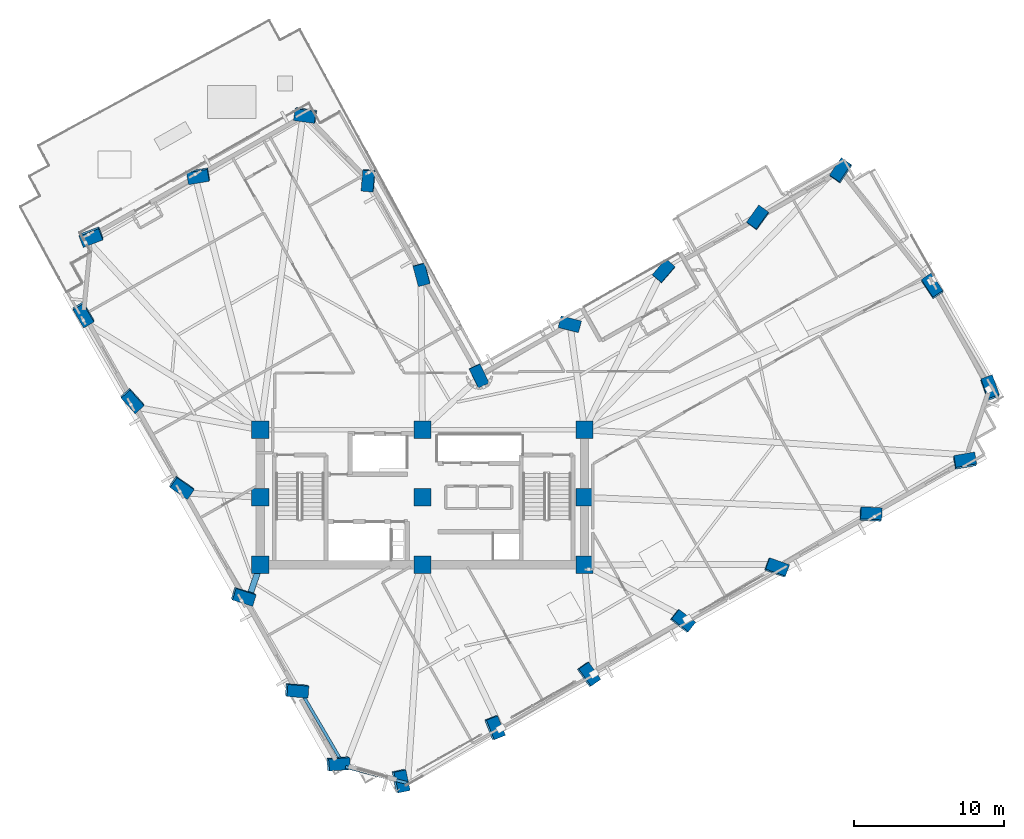
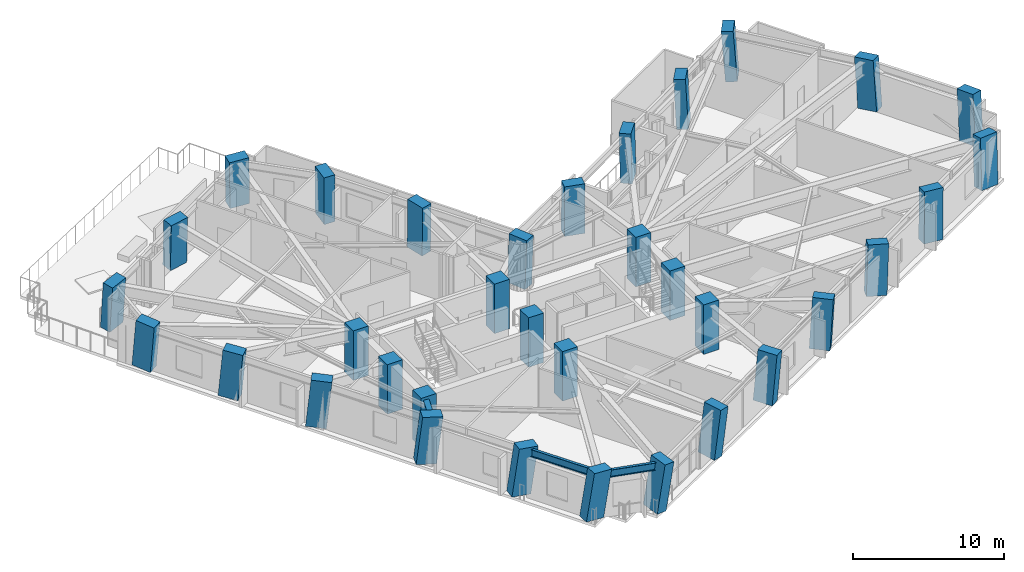
# One storey, part 1 of 18: 34 columns, 3 beams.
"""IFC4 building model written with IfcOpenShell, lengths in metres."""

from ifc_helpers import new_model, si_unit, direction, frame, origin, origin_2d, place, context, subcontext, project, spatial, rectangle, i_section, extrude, material, material_profile, profile_set, type_object, element, save


model = new_model("IFC4")

# Units and contexts
model_context = context("Model", 3, precision=1e-05, world=origin(), true_north=direction((0.0, 1.0)))
body_context = subcontext(model_context, "Body", "Model", "MODEL_VIEW")
ifc_project = project(units=[si_unit("LENGTHUNIT", "METRE"), si_unit("AREAUNIT", "SQUARE_METRE"), si_unit("VOLUMEUNIT", "CUBIC_METRE"), si_unit("PLANEANGLEUNIT", "RADIAN"), si_unit("MASSUNIT", "GRAM", prefix="KILO")], contexts=[model_context])

# Site, building, storey
site_placement = place(None, origin())
site = spatial("IfcSite", under=ifc_project, at=site_placement, CompositionType="ELEMENT")
building_placement = place(site_placement, origin())
building = spatial("IfcBuilding", under=site, at=building_placement, Name="Gaonmaruhae Medical Tower", CompositionType="ELEMENT")
storey_placement = place(building_placement, frame((0.0, 0.0, 149.800048828125)))
storey = spatial("IfcBuildingStorey", under=building, at=storey_placement, Name="L35", CompositionType="ELEMENT", Elevation=149.800048828125)

# Columns
ifc_material_1 = material(Name="Concrete C50/60", Category="concrete")
ifc_material_profile_1 = material_profile(ifc_material_1, rectangle(XDim=1.14990234375, YDim=1.14990234375, at=origin_2d()), Name="RC-1150x1150")
ifc_profile_set_1 = profile_set([ifc_material_profile_1], Name="Concrete C50/60")
column_type_1 = type_object("IfcColumnType", Name="CC-04 Zone 3 Core Column (RC-1150x1150)", PredefinedType="COLUMN", material=ifc_profile_set_1)
for number, where, z_axis, x_axis, name in (
    (1, (14.0, 7.800048828125, 0.0), (0.0, 0.0, 1.0), (1.0, 0.0, 0.0), "L35 Plumb Core Column CC11"),
    (2, (14.0, 12.300048828125, 0.0), (0.0, 0.0, 1.0), (1.0, 0.0, 0.0), "L35 Plumb Core Column CC12"),
    (3, (14.0, 16.800048828125, 0.0), (0.0, 0.0, 1.0), (1.0, 0.0, 0.0), "L35 Plumb Core Column CC13"),
    (4, (24.800048828125, 7.800048828125, 0.0), (0.0, 0.0, 1.0), (1.0, 0.0, 0.0), "L35 Plumb Core Column CC21"),
    (5, (24.800048828125, 12.300048828125, 0.0), (0.0, 0.0, 1.0), (1.0, 0.0, 0.0), "L35 Plumb Core Column CC22"),
    (6, (24.800048828125, 16.800048828125, 0.0), (0.0, 0.0, 1.0), (1.0, 0.0, 0.0), "L35 Plumb Core Column CC23"),
    (7, (35.60009765625, 7.800048828125, 0.0), (0.0, 0.0, 1.0), (1.0, 0.0, 0.0), "L35 Plumb Core Column CC31"),
    (8, (35.60009765625, 12.300048828125, 0.0), (0.0, 0.0, 1.0), (1.0, 0.0, 0.0), "L35 Plumb Core Column CC32"),
    (9, (35.60009765625, 16.800048828125, 0.0), (0.0, 0.0, 1.0), (1.0, 0.0, 0.0), "L35 Plumb Core Column CC33"),
):
    element("IfcColumn", number, at=place(storey_placement, frame(where, z_axis=z_axis, x_axis=x_axis)), inside=storey, type_object=column_type_1, Name=name, PredefinedType="COLUMN", context=body_context, shape_type="SweptSolid", body=[
        extrude(rectangle(XDim=1.14990234375, YDim=1.14990234375, at=origin_2d()), origin(), (0.0, 0.0, 1.0), 4.0),
    ])
ifc_material_2 = material(Name="Concrete C60/75", Category="concrete")
ifc_material_profile_2 = material_profile(ifc_material_2, rectangle(XDim=1.39990234375, YDim=0.800048828125, at=origin_2d()), Name="RC-1400x800")
ifc_profile_set_2 = profile_set([ifc_material_profile_2], Name="Concrete C60/75")
column_type_2 = type_object("IfcColumnType", Name="TC-02 Mid Raking Tube Pier Column (RC-1400x800)", PredefinedType="COLUMN", material=ifc_profile_set_2)
column_1_placement = place(storey_placement, frame((23.304931640625, -6.57568359375, 0.096435546875), z_axis=(0.129200063752, -0.04122746756, 0.990761141469), x_axis=(-0.199352364357, 0.977656682153, 0.066678682245)))
element("IfcColumn", 10, at=column_1_placement, inside=storey, type_object=column_type_2, Name="L35 Perimeter Tube Column S01", PredefinedType="COLUMN", context=body_context, shape_type="SweptSolid", body=[
    extrude(rectangle(XDim=1.39990234375, YDim=0.800048828125, at=origin_2d()), origin(), (0.0, 0.0, 1.0), 3.93798828125),
])
column_2_placement = place(storey_placement, frame((29.571533203125, -3.032958984375, 0.08251953125), z_axis=(0.114760480607, -0.015668862166, 0.993269610352), x_axis=(-0.366065487178, 0.92884503018, 0.056947071978)))
element("IfcColumn", 11, at=column_2_placement, inside=storey, type_object=column_type_2, Name="L35 Perimeter Tube Column S02", PredefinedType="COLUMN", context=body_context, shape_type="SweptSolid", body=[
    extrude(rectangle(XDim=1.39990234375, YDim=0.800048828125, at=origin_2d()), origin(), (0.0, 0.0, 1.0), 3.942138671875),
])
column_3_placement = place(storey_placement, frame((35.8388671875, 0.509033203125, 0.072021484375), z_axis=(0.100105085571, 0.010084752131, 0.994925760857), x_axis=(-0.573988040524, 0.817368171607, 0.049467174777)))
element("IfcColumn", 12, at=column_3_placement, inside=storey, type_object=column_type_2, Name="L35 Perimeter Tube Column S03", PredefinedType="COLUMN", context=body_context, shape_type="SweptSolid", body=[
    extrude(rectangle(XDim=1.39990234375, YDim=0.800048828125, at=origin_2d()), origin(), (0.0, 0.0, 1.0), 3.946044921875),
])
column_4_placement = place(storey_placement, frame((42.10693359375, 4.05078125, 0.066650390625), z_axis=(0.08539199057, 0.035801565923, 0.995704000104), x_axis=(-0.78816883904, 0.613773060451, 0.045524844111)))
element("IfcColumn", 13, at=column_4_placement, inside=storey, type_object=column_type_2, Name="L35 Perimeter Tube Column S04", PredefinedType="COLUMN", context=body_context, shape_type="SweptSolid", body=[
    extrude(rectangle(XDim=1.39990234375, YDim=0.800048828125, at=origin_2d()), origin(), (0.0, 0.0, 1.0), 3.9482421875),
])
column_5_placement = place(storey_placement, frame((48.375732421875, 7.592529296875, 0.0673828125), z_axis=(0.07055831731, 0.061529820967, 0.995608158359), x_axis=(-0.941245694793, 0.334571211542, 0.046028756663)))
element("IfcColumn", 14, at=column_5_placement, inside=storey, type_object=column_type_2, Name="L35 Perimeter Tube Column S05", PredefinedType="COLUMN", context=body_context, shape_type="SweptSolid", body=[
    extrude(rectangle(XDim=1.39990234375, YDim=0.800048828125, at=origin_2d()), origin(), (0.0, 0.0, 1.0), 3.947998046875),
])
column_6_placement = place(storey_placement, frame((54.644775390625, 11.134765625, 0.073974609375), z_axis=(0.055632037053, 0.087253806723, 0.994631514515), x_axis=(-0.997144782381, 0.055801129661, 0.050877469454)))
element("IfcColumn", 15, at=column_6_placement, inside=storey, type_object=column_type_2, Name="L35 Perimeter Tube Column S06", PredefinedType="COLUMN", context=body_context, shape_type="SweptSolid", body=[
    extrude(rectangle(XDim=1.39990234375, YDim=0.800048828125, at=origin_2d()), origin(), (0.0, 0.0, 1.0), 3.9453125),
])
column_7_placement = place(storey_placement, frame((60.913818359375, 14.677978515625, 0.08544921875), z_axis=(0.040762141013, 0.112746347484, 0.992787343286), x_axis=(-0.984868435796, -0.162971348998, 0.058944919876)))
element("IfcColumn", 16, at=column_7_placement, inside=storey, type_object=column_type_2, Name="L35 Perimeter Tube Column S07", PredefinedType="COLUMN", context=body_context, shape_type="SweptSolid", body=[
    extrude(rectangle(XDim=1.39990234375, YDim=0.800048828125, at=origin_2d()), origin(), (0.0, 0.0, 1.0), 3.94091796875),
])
column_8_placement = place(storey_placement, frame((62.59326171875, 19.533935546875, 0.10009765625), z_axis=(0.0207028818, 0.119492308766, 0.992619251693), x_axis=(0.336888766063, -0.935603610198, 0.1056022911)))
element("IfcColumn", 17, at=column_8_placement, inside=storey, type_object=column_type_2, Name="L35 Perimeter Tube Column E01", PredefinedType="COLUMN", context=body_context, shape_type="SweptSolid", body=[
    extrude(rectangle(XDim=1.39990234375, YDim=0.800048828125, at=origin_2d()), origin(), (0.0, 0.0, 1.0), 3.927001953125),
])
column_9_placement = place(storey_placement, frame((58.755615234375, 26.322998046875, 0.086181640625), z_axis=(-0.007138333207, 0.103661012665, 0.994587069417), x_axis=(0.550000990566, -0.830248298893, 0.090480232982)))
element("IfcColumn", 18, at=column_9_placement, inside=storey, type_object=column_type_2, Name="L35 Perimeter Tube Column E02", PredefinedType="COLUMN", context=body_context, shape_type="SweptSolid", body=[
    extrude(rectangle(XDim=1.39990234375, YDim=0.800048828125, at=origin_2d()), origin(), (0.0, 0.0, 1.0), 3.93310546875),
])
column_10_placement = place(storey_placement, frame((52.678466796875, 34.028076171875, 0.06298828125), z_axis=(-0.038751282156, 0.078491432755, 0.996161348937), x_axis=(-0.563992536618, -0.8246575779, 0.043038330033)))
element("IfcColumn", 19, at=column_10_placement, inside=storey, type_object=column_type_2, Name="L35 Perimeter Tube Column E03", PredefinedType="COLUMN", context=body_context, shape_type="SweptSolid", body=[
    extrude(rectangle(XDim=1.39990234375, YDim=0.800048828125, at=origin_2d()), origin(), (0.0, 0.0, 1.0), 3.9501953125),
])
column_11_placement = place(storey_placement, frame((47.150146484375, 30.903564453125, 0.044921875), z_axis=(-0.025704742237, 0.055847713349, 0.99810836042), x_axis=(-0.585842497961, -0.809861029984, 0.030227135099)))
element("IfcColumn", 20, at=column_11_placement, inside=storey, type_object=column_type_2, Name="L35 Perimeter Tube Column EN01", PredefinedType="COLUMN", context=body_context, shape_type="SweptSolid", body=[
    extrude(rectangle(XDim=1.39990234375, YDim=0.800048828125, at=origin_2d()), origin(), (0.0, 0.0, 1.0), 3.960693359375),
])
column_12_placement = place(storey_placement, frame((40.88134765625, 27.36181640625, 0.024658203125), z_axis=(-0.01080860271, 0.030092132545, 0.999488688113), x_axis=(-0.653407021081, -0.756843527914, 0.015720657018)))
element("IfcColumn", 21, at=column_12_placement, inside=storey, type_object=column_type_2, Name="L35 Perimeter Tube Column EN02", PredefinedType="COLUMN", context=body_context, shape_type="SweptSolid", body=[
    extrude(rectangle(XDim=1.39990234375, YDim=0.800048828125, at=origin_2d()), origin(), (0.0, 0.0, 1.0), 3.975341796875),
])
column_13_placement = place(storey_placement, frame((34.612060546875, 23.821044921875, 0.006591796875), z_axis=(0.004036875309, 0.004220369641, 0.999982945913), x_axis=(-0.969109138481, 0.246615556484, 0.002871412915)))
element("IfcColumn", 22, at=column_13_placement, inside=storey, type_object=column_type_2, Name="L35 Perimeter Tube Column EN03", PredefinedType="COLUMN", context=body_context, shape_type="SweptSolid", body=[
    extrude(rectangle(XDim=1.39990234375, YDim=0.800048828125, at=origin_2d()), origin(), (0.0, 0.0, 1.0), 3.991455078125),
])
column_14_placement = place(storey_placement, frame((28.560546875, 20.403564453125, 0.024169921875), z_axis=(0.018362422681, -0.020757521292, 0.999615899605), x_axis=(-0.437286029614, 0.8989260661, 0.026699363101)))
element("IfcColumn", 23, at=column_14_placement, inside=storey, type_object=column_type_2, Name="L35 Perimeter Tube Column KN01", PredefinedType="COLUMN", context=body_context, shape_type="SweptSolid", body=[
    extrude(rectangle(XDim=1.39990234375, YDim=0.800048828125, at=origin_2d()), origin(), (0.0, 0.0, 1.0), 3.975341796875),
])
column_15_placement = place(storey_placement, frame((24.74951171875, 27.1513671875, 0.032958984375), z_axis=(-0.009475349631, -0.036732361882, 0.999280216626), x_axis=(-0.258731332991, 0.965384335227, 0.033033053559)))
element("IfcColumn", 24, at=column_15_placement, inside=storey, type_object=column_type_2, Name="L35 Perimeter Tube Column NE01", PredefinedType="COLUMN", context=body_context, shape_type="SweptSolid", body=[
    extrude(rectangle(XDim=1.39990234375, YDim=0.800048828125, at=origin_2d()), origin(), (0.0, 0.0, 1.0), 3.968017578125),
])
column_16_placement = place(storey_placement, frame((21.207763671875, 33.41943359375, 0.052734375), z_axis=(-0.035203563334, -0.051508371615, 0.998051900846), x_axis=(0.084473299342, 0.994943607494, 0.054327521614)))
element("IfcColumn", 25, at=column_16_placement, inside=storey, type_object=column_type_2, Name="L35 Perimeter Tube Column NE02", PredefinedType="COLUMN", context=body_context, shape_type="SweptSolid", body=[
    extrude(rectangle(XDim=1.39990234375, YDim=0.800048828125, at=origin_2d()), origin(), (0.0, 0.0, 1.0), 3.953125),
])
column_17_placement = place(storey_placement, frame((17.02392578125, 37.774658203125, 0.062744140625), z_axis=(-0.053027503477, -0.068911033073, 0.996212504135), x_axis=(0.988817744934, -0.14286989529, 0.04275114411)))
element("IfcColumn", 26, at=column_17_placement, inside=storey, type_object=column_type_2, Name="L35 Perimeter Tube Column N01", PredefinedType="COLUMN", context=body_context, shape_type="SweptSolid", body=[
    extrude(rectangle(XDim=1.39990234375, YDim=0.800048828125, at=origin_2d()), origin(), (0.0, 0.0, 1.0), 3.9501953125),
])
column_18_placement = place(storey_placement, frame((9.88427734375, 33.73974609375, 0.07470703125), z_axis=(-0.036080308129, -0.098029516425, 0.994529248074), x_axis=(0.986085311724, 0.15810776909, 0.051358459426)))
element("IfcColumn", 27, at=column_18_placement, inside=storey, type_object=column_type_2, Name="L35 Perimeter Tube Column N02", PredefinedType="COLUMN", context=body_context, shape_type="SweptSolid", body=[
    extrude(rectangle(XDim=1.39990234375, YDim=0.800048828125, at=origin_2d()), origin(), (0.0, 0.0, 1.0), 3.94482421875),
])
column_19_placement = place(storey_placement, frame((2.74462890625, 29.703857421875, 0.09130859375), z_axis=(-0.019150191055, -0.126986218353, 0.991719602776), x_axis=(0.933758447221, 0.352290278892, 0.063140491291)))
element("IfcColumn", 28, at=column_19_placement, inside=storey, type_object=column_type_2, Name="L35 Perimeter Tube Column N03", PredefinedType="COLUMN", context=body_context, shape_type="SweptSolid", body=[
    extrude(rectangle(XDim=1.39990234375, YDim=0.800048828125, at=origin_2d()), origin(), (0.0, 0.0, 1.0), 3.939453125),
])
column_20_placement = place(storey_placement, frame((2.223876953125, 24.52587890625, 0.1064453125), z_axis=(0.002115181882, -0.128963883582, 0.991647035359), x_axis=(-0.505758577121, 0.855332460621, 0.112314929893)))
element("IfcColumn", 29, at=column_20_placement, inside=storey, type_object=column_type_2, Name="L35 Perimeter Tube Column W01", PredefinedType="COLUMN", context=body_context, shape_type="SweptSolid", body=[
    extrude(rectangle(XDim=1.39990234375, YDim=0.800048828125, at=origin_2d()), origin(), (0.0, 0.0, 1.0), 3.92431640625),
])
column_21_placement = place(storey_placement, frame((5.47119140625, 18.78125, 0.097900390625), z_axis=(0.025670958189, -0.115612547775, 0.992962607908), x_axis=(-0.667400379772, 0.737524132822, 0.103125586472)))
element("IfcColumn", 30, at=column_21_placement, inside=storey, type_object=column_type_2, Name="L35 Perimeter Tube Column W02", PredefinedType="COLUMN", context=body_context, shape_type="SweptSolid", body=[
    extrude(rectangle(XDim=1.39990234375, YDim=0.800048828125, at=origin_2d()), origin(), (0.0, 0.0, 1.0), 3.927734375),
])
column_22_placement = place(storey_placement, frame((8.742919921875, 12.9921875, 0.09375), z_axis=(0.04945429726, -0.101952891713, 0.993559198213), x_axis=(-0.819960830844, 0.563851045212, 0.098672360339)))
element("IfcColumn", 31, at=column_22_placement, inside=storey, type_object=column_type_2, Name="L35 Perimeter Tube Column W03", PredefinedType="COLUMN", context=body_context, shape_type="SweptSolid", body=[
    extrude(rectangle(XDim=1.39990234375, YDim=0.800048828125, at=origin_2d()), origin(), (0.0, 0.0, 1.0), 3.9296875),
])
column_23_placement = place(storey_placement, frame((12.851318359375, 5.72265625, 0.095947265625), z_axis=(0.079171283237, -0.084826374897, 0.993245384602), x_axis=(-0.949572727116, 0.296820875831, 0.101039613956)))
element("IfcColumn", 32, at=column_23_placement, inside=storey, type_object=column_type_2, Name="L35 Perimeter Tube Column W04", PredefinedType="COLUMN", context=body_context, shape_type="SweptSolid", body=[
    extrude(rectangle(XDim=1.39990234375, YDim=0.800048828125, at=origin_2d()), origin(), (0.0, 0.0, 1.0), 3.9287109375),
])
column_24_placement = place(storey_placement, frame((16.39453125, -0.546142578125, 0.10400390625), z_axis=(0.104800524787, -0.069970676786, 0.992028706437), x_axis=(-0.991439317131, 0.070763899703, 0.109729444297)))
element("IfcColumn", 33, at=column_24_placement, inside=storey, type_object=column_type_2, Name="L35 Perimeter Tube Column W05", PredefinedType="COLUMN", context=body_context, shape_type="SweptSolid", body=[
    extrude(rectangle(XDim=1.39990234375, YDim=0.800048828125, at=origin_2d()), origin(), (0.0, 0.0, 1.0), 3.92529296875),
])
column_25_placement = place(storey_placement, frame((19.151123046875, -5.421875, 0.11328125), z_axis=(0.124558573266, -0.058388776473, 0.990492762522), x_axis=(-0.989643862739, -0.079091847354, 0.119789417831)))
element("IfcColumn", 34, at=column_25_placement, inside=storey, type_object=column_type_2, Name="L35 Perimeter Tube Column W06", PredefinedType="COLUMN", context=body_context, shape_type="SweptSolid", body=[
    extrude(rectangle(XDim=1.39990234375, YDim=0.800048828125, at=origin_2d()), origin(), (0.0, 0.0, 1.0), 3.922119140625),
])

# Beams
ifc_material_3 = material(Name="Steel SM420", Category="steel")
ifc_material_profile_3 = material_profile(ifc_material_3, i_section(OverallWidth=0.39990234375, OverallDepth=1.0, WebThickness=0.02197265625, FlangeThickness=0.035888671875, at=origin_2d()), Name="BH-1000x400x22x36")
ifc_profile_set_3 = profile_set([ifc_material_profile_3], Name="Steel SM420")
beam_type_1 = type_object("IfcBeamType", Name="BG-02 Refuge Floor Primary Girder (BH-1000x400x22x36)", PredefinedType="BEAM", material=ifc_profile_set_3)
beam_1_placement = place(storey_placement, frame((13.983642578125, 7.752685546875, 3.280029296875), z_axis=(-0.328180758017, -0.94461494275, 0.0), x_axis=(0.94461494275, -0.328180758017, 0.0)))
element("IfcBeam", 35, at=beam_1_placement, inside=storey, type_object=beam_type_1, Name="L35 Radial Primary Girder W04", PredefinedType="BEAM", context=body_context, shape_type="SweptSolid", body=[
    extrude(i_section(OverallWidth=0.39990234375, OverallDepth=1.0, WebThickness=0.02197265625, FlangeThickness=0.035888671875, at=origin_2d()), origin(), (0.0, 0.0, 1.0), 2.451904296875),
])
ifc_material_4 = material(Name="Steel SM355", Category="steel")
ifc_material_profile_4 = material_profile(ifc_material_4, i_section(OverallWidth=0.199951171875, OverallDepth=0.60009765625, WebThickness=0.010986328125, FlangeThickness=0.01708984375, FilletRadius=0.012939453125, at=origin_2d()), Name="H-600x200x11x17")
ifc_profile_set_4 = profile_set([ifc_material_profile_4], Name="Steel SM355")
beam_type_2 = type_object("IfcBeamType", Name="SP-01 Lower Perimeter Spandrel Beam (H-600x200x11x17)", PredefinedType="SPANDREL", material=ifc_profile_set_4)
beam_2_placement = place(storey_placement, frame((16.826416015625, -0.855224609375, 3.47998046875), z_axis=(0.506008908159, -0.862528251632, 0.0), x_axis=(0.862528251632, 0.506008908159, 0.0)))
element("IfcBeam", 36, at=beam_2_placement, inside=storey, type_object=beam_type_2, Name="L35 Perimeter Spandrel Beam W05-W06", PredefinedType="SPANDREL", context=body_context, shape_type="SweptSolid", body=[
    extrude(i_section(OverallWidth=0.199951171875, OverallDepth=0.60009765625, WebThickness=0.010986328125, FlangeThickness=0.01708984375, FilletRadius=0.012939453125, at=origin_2d()), origin(), (0.0, 0.0, 1.0), 5.52001953125),
])
beam_3_placement = place(storey_placement, frame((19.678466796875, -5.660888671875, 3.47998046875), z_axis=(0.96770723773, -0.252076778076, 0.0), x_axis=(0.252076778076, 0.96770723773, 0.0)))
element("IfcBeam", 37, at=beam_3_placement, inside=storey, type_object=beam_type_2, Name="L35 Perimeter Spandrel Beam W06-S01", PredefinedType="SPANDREL", context=body_context, shape_type="SweptSolid", body=[
    extrude(i_section(OverallWidth=0.199951171875, OverallDepth=0.60009765625, WebThickness=0.010986328125, FlangeThickness=0.01708984375, FilletRadius=0.012939453125, at=origin_2d()), origin(), (0.0, 0.0, 1.0), 4.2333984375),
])

save(model, "model.ifc")
